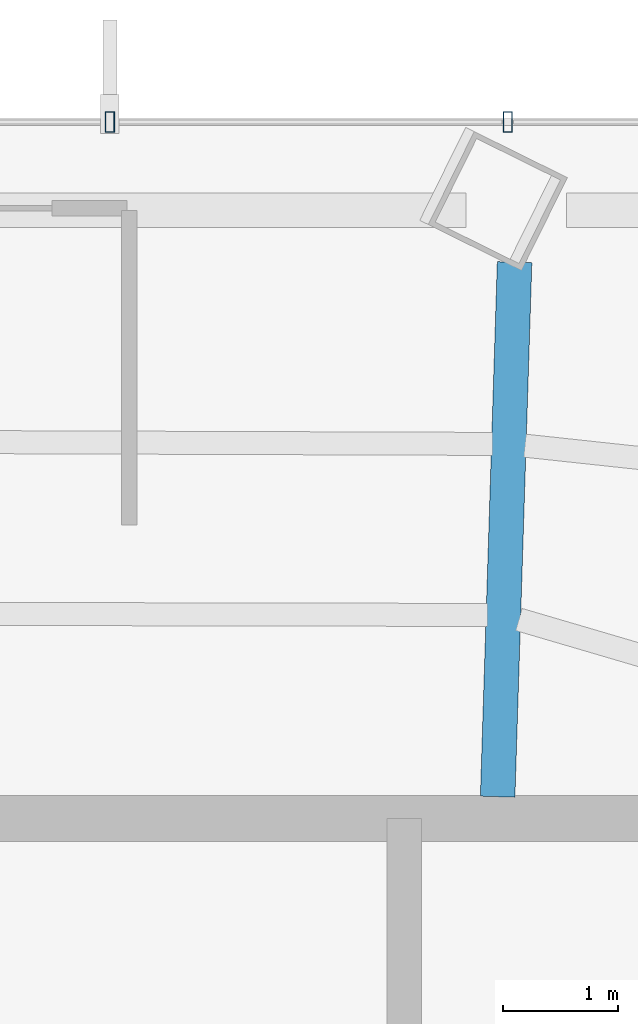
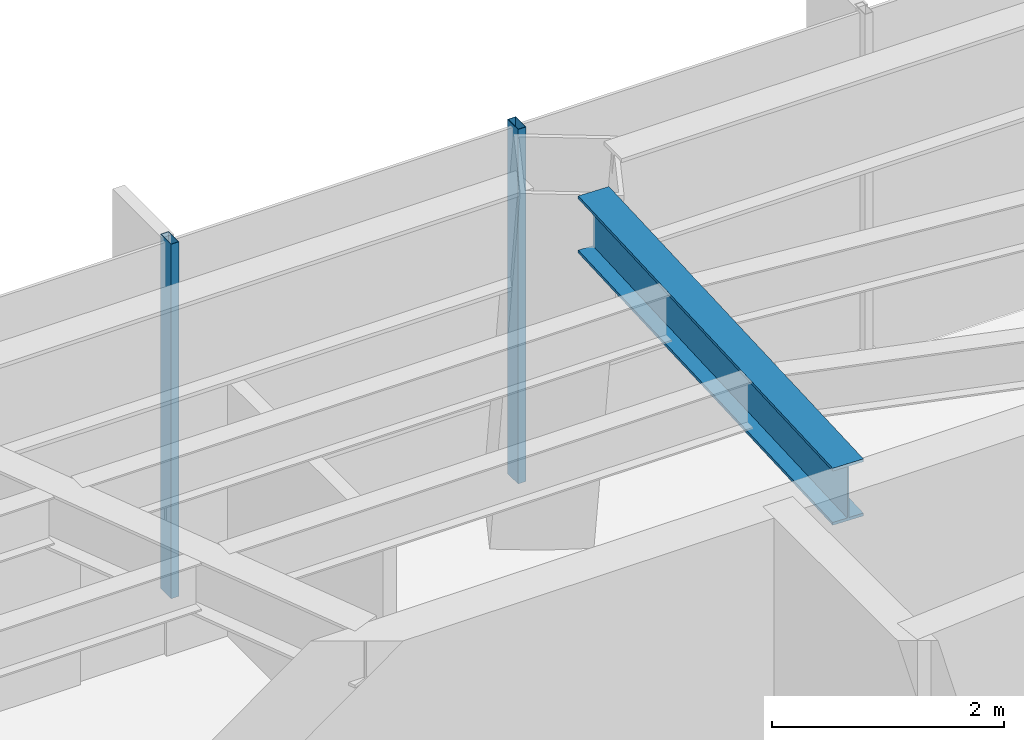
# One storey, part 14 of 25: 2 members, 1 beam, 1 element without a shape of its own.
"""IFC4 building model written with IfcOpenShell, lengths in metres."""

from ifc_helpers import new_model, si_unit, direction, frame, origin, origin_2d, place, context, subcontext, project, spatial, hollow_rectangle, i_section, extrude, material, layer, layer_set, material_profile, profile_set, type_object, element, aggregate, save


model = new_model("IFC4")

# Units and contexts
model_context = context("Model", 3, precision=1e-05, world=origin(), true_north=direction((0.0, 1.0)))
body_context = subcontext(model_context, "Body", "Model", "MODEL_VIEW")
ifc_project = project(units=[si_unit("LENGTHUNIT", "METRE"), si_unit("AREAUNIT", "SQUARE_METRE"), si_unit("VOLUMEUNIT", "CUBIC_METRE"), si_unit("PLANEANGLEUNIT", "RADIAN"), si_unit("MASSUNIT", "GRAM", prefix="KILO")], contexts=[model_context])

# Site, building, storey
site_placement = place(None, origin())
site = spatial("IfcSite", under=ifc_project, at=site_placement, CompositionType="ELEMENT")
building_placement = place(site_placement, origin())
building = spatial("IfcBuilding", under=site, at=building_placement, Name="Zarrinselat Tower", CompositionType="ELEMENT")
storey_placement = place(building_placement, frame((0.0, 0.0, 105.06005859375)))
storey = spatial("IfcBuildingStorey", under=building, at=storey_placement, Name="L25", CompositionType="ELEMENT", Elevation=105.06005859375)

# Beam
ifc_material_1 = material(Name="Steel S355J2", Category="steel")
ifc_material_profile_1 = material_profile(ifc_material_1, i_section(OverallWidth=0.300048828125, OverallDepth=0.60009765625, WebThickness=0.015380859375, FlangeThickness=0.030029296875, at=origin_2d()), Name="HEB 600")
ifc_profile_set_1 = profile_set([ifc_material_profile_1], Name="Steel S355J2")
beam_type = type_object("IfcBeamType", Name="BM-HEB600", PredefinedType="BEAM", material=ifc_profile_set_1)
beam_placement = place(storey_placement, frame((45.800048828125, 43.639892578125, 3.429931640625), z_axis=(0.03164835038, 0.999499065491, 0.0), x_axis=(-0.999499065491, 0.03164835038, 0.0)))
element("IfcBeam", 1, at=beam_placement, inside=storey, type_object=beam_type, Name="L25 Radial Primary Girder RG02", PredefinedType="BEAM", context=body_context, shape_type="SweptSolid", body=[
    extrude(i_section(OverallWidth=0.300048828125, OverallDepth=0.60009765625, WebThickness=0.015380859375, FlangeThickness=0.030029296875, at=origin_2d()), origin(), (0.0, 0.0, 1.0), 4.64404296875),
])

# Curtain wall, members
ifc_material_2 = material(Name="Extruded Aluminium Alloy EN AW-6063 T6", Category="aluminium")
ifc_layer = layer(ifc_material_2, 0.18505859375)
ifc_layer_set = layer_set([ifc_layer], Name="Extruded Aluminium Alloy EN AW-6063 T6")
curtain_wall_type = type_object("IfcCurtainWallType", Name="CWS-OFF", PredefinedType="NOTDEFINED", material=ifc_layer_set)
curtain_wall_placement = place(storey_placement, origin())
curtain_wall = element("IfcCurtainWall", 2, at=curtain_wall_placement, inside=storey, type_object=curtain_wall_type, Name="L25 Unitised Curtain Wall CW-L25-E01", PredefinedType="NOTDEFINED")
ifc_material_3 = material(Name="Extruded Aluminium Alloy EN AW-6063 T6", Category="aluminium")
ifc_material_profile_2 = material_profile(ifc_material_3, hollow_rectangle(XDim=0.080078125, YDim=0.179931640625, WallThickness=0.0048828125, at=origin_2d()), Name="RHS 180x80x5")
ifc_profile_set_2 = profile_set([ifc_material_profile_2], Name="Extruded Aluminium Alloy EN AW-6063 T6")
member_type = type_object("IfcMemberType", Name="MEM-CW-MUL", PredefinedType="MULLION", material=ifc_profile_set_2)
member_1_placement = place(storey_placement, frame((45.88671875, 49.5, 0.0), z_axis=(0.0, 0.0, 1.0), x_axis=(-1.0, 0.0, 0.0)))
member_1 = element("IfcMember", 3, at=member_1_placement, type_object=member_type, Name="CW-L25-E01 Mullion 2", PredefinedType="MULLION", context=body_context, shape_type="SweptSolid", body=[
    extrude(hollow_rectangle(XDim=0.080078125, YDim=0.179931640625, WallThickness=0.0048828125, at=origin_2d()), origin(), (0.0, 0.0, 1.0), 3.72998046875),
])
member_2_placement = place(storey_placement, frame((42.432861328125, 49.5, 0.0), z_axis=(0.0, 0.0, 1.0), x_axis=(-1.0, 0.0, 0.0)))
member_2 = element("IfcMember", 4, at=member_2_placement, type_object=member_type, Name="CW-L25-E01 Mullion 3", PredefinedType="MULLION", context=body_context, shape_type="SweptSolid", body=[
    extrude(hollow_rectangle(XDim=0.080078125, YDim=0.179931640625, WallThickness=0.0048828125, at=origin_2d()), origin(), (0.0, 0.0, 1.0), 3.72998046875),
])
aggregate(curtain_wall, [member_1, member_2])

save(model, "model.ifc")
